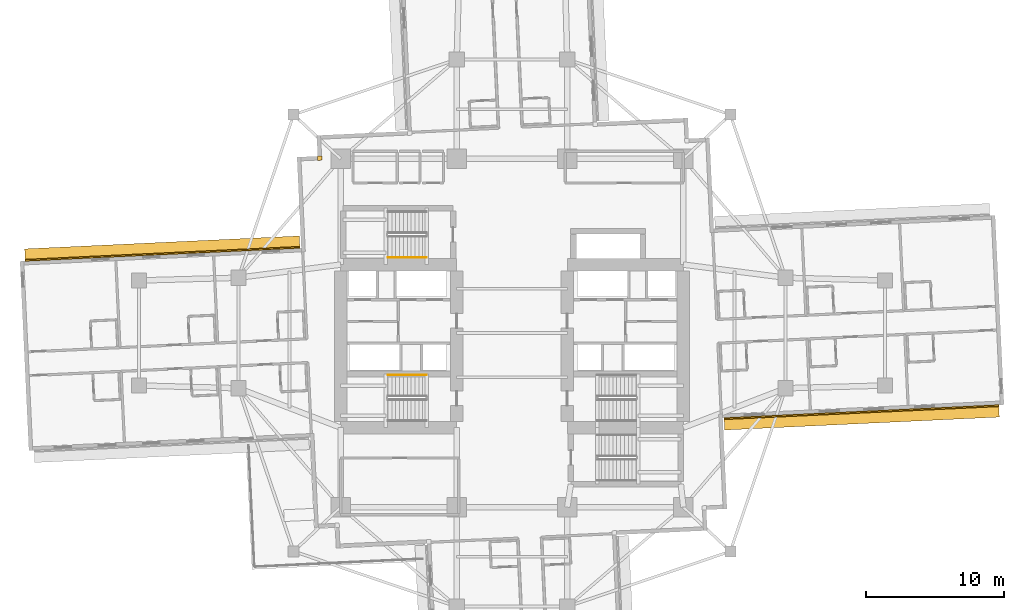
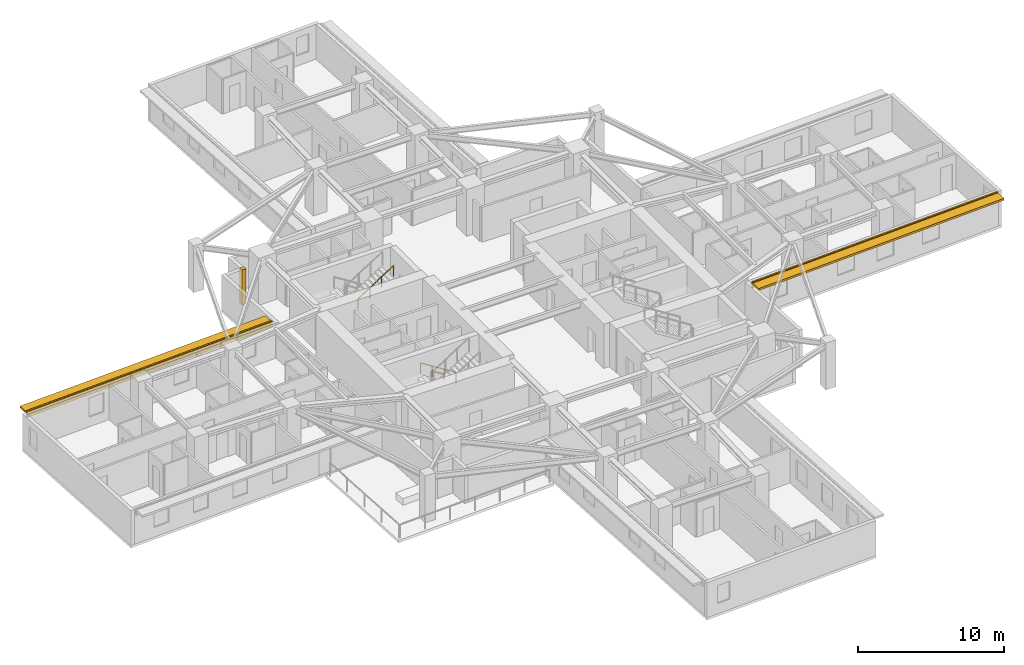
# One storey, part 12 of 14: 3 coverings, 2 railings, 2 shading devices.
"""IFC4 building model written with IfcOpenShell, lengths in metres."""

from ifc_helpers import new_model, si_unit, direction, frame, origin, origin_2d, place, context, subcontext, project, spatial, rectangle, circle, extrude, material, layer, layer_set, type_object, element, save


model = new_model("IFC4")

# Units and contexts
model_context = context("Model", 3, precision=1e-05, world=origin(), true_north=direction((0.0, 1.0)))
body_context = subcontext(model_context, "Body", "Model", "MODEL_VIEW")
ifc_project = project(units=[si_unit("LENGTHUNIT", "METRE"), si_unit("AREAUNIT", "SQUARE_METRE"), si_unit("VOLUMEUNIT", "CUBIC_METRE"), si_unit("PLANEANGLEUNIT", "RADIAN"), si_unit("MASSUNIT", "GRAM", prefix="KILO")], contexts=[model_context])

# Site, building, storey
site_placement = place(None, origin())
site = spatial("IfcSite", under=ifc_project, at=site_placement, CompositionType="ELEMENT")
building_placement = place(site_placement, origin())
building = spatial("IfcBuilding", under=site, at=building_placement, Name="Qingluan Cross Belvedere", CompositionType="ELEMENT")
storey_placement = place(building_placement, frame((0.0, 0.0, 52.199951171875)))
storey = spatial("IfcBuildingStorey", under=building, at=storey_placement, Name="L13", CompositionType="ELEMENT", Elevation=52.199951171875)

# Coverings
ifc_material_1 = material(Name="Precast concrete C45", Category="concrete")
ifc_layer_1 = layer(ifc_material_1, 0.1201171875, Name="ConcreteSpandrelCladding_120")
ifc_layer_set_1 = layer_set([ifc_layer_1], Name="Precast concrete C45")
covering_type = type_object("IfcCoveringType", Name="ConcreteSpandrelCladding_120", PredefinedType="CLADDING", material=ifc_layer_set_1)
for number, where, z_axis, x_axis, name in (
    (1, (25.287841796875, -5.72509765625, 2.449951171875), (0.0, 0.0, 1.0), (0.998889735192, 0.04710941444, 0.0), "Spandrel cladding L13-EA"),
    (2, (-25.287841796875, 5.72509765625, 2.449951171875), (0.0, 0.0, 1.0), (-0.998889735192, -0.04710941444, 0.0), "Spandrel cladding L13-WA"),
):
    element("IfcCovering", number, at=place(storey_placement, frame(where, z_axis=z_axis, x_axis=x_axis)), inside=storey, type_object=covering_type, Name=name, PredefinedType="CLADDING", context=body_context, shape_type="SweptSolid", body=[
        extrude(rectangle(XDim=19.89990234375, YDim=0.1201171875, at=origin_2d()), origin(), (0.0, 0.0, 1.0), 0.52001953125),
    ])
covering_placement = place(storey_placement, frame((-13.911865234375, 12.65869140625, 0.0), z_axis=(0.0, 0.0, 1.0), x_axis=(0.998889874962, 0.04710645071, 0.0)))
element("IfcCovering", 3, at=covering_placement, inside=storey, type_object=covering_type, Name="Corner closure L13-NW1", PredefinedType="CLADDING", context=body_context, shape_type="SweptSolid", body=[
    extrude(rectangle(XDim=0.320068359375, YDim=0.320068359375, at=origin_2d()), origin(), (0.0, 0.0, 1.0), 2.909912109375),
])

# Shading devices
ifc_material_2 = material(Name="Precast concrete C45", Category="concrete")
ifc_layer_2 = layer(ifc_material_2, 0.159912109375, Name="ConcreteSunshadeBand_900")
ifc_layer_set_2 = layer_set([ifc_layer_2], Name="Precast concrete C45")
shading_device_type = type_object("IfcShadingDeviceType", Name="ConcreteSunshadeBand_900", PredefinedType="USERDEFINED", material=ifc_layer_set_2)
for number, where, z_axis, x_axis, name in (
    (4, (25.3056640625, -6.104736328125, 2.72998046875), (0.0, 0.0, 1.0), (0.998889735192, 0.04710941444, 0.0), "Concrete SUNSHADE L13-EA"),
    (5, (-25.3056640625, 6.104736328125, 2.72998046875), (0.0, 0.0, 1.0), (-0.998889735192, -0.04710941444, 0.0), "Concrete SUNSHADE L13-WA"),
):
    element("IfcShadingDevice", number, at=place(storey_placement, frame(where, z_axis=z_axis, x_axis=x_axis)), inside=storey, type_object=shading_device_type, Name=name, ObjectType="SUNSHADE", PredefinedType="USERDEFINED", context=body_context, shape_type="SweptSolid", body=[
        extrude(rectangle(XDim=19.89990234375, YDim=0.89990234375, at=origin_2d()), origin(), (0.0, 0.0, 1.0), 0.159912109375),
    ])

# Railings
ifc_material_3 = material(Name="Brushed stainless steel tubular handrail", Category="steel")
railing_type = type_object("IfcRailingType", Name="StairPitchHandrail_900", PredefinedType="HANDRAIL", material=ifc_material_3)
railing_1_placement = place(storey_placement, frame((-6.179931640625, -3.050048828125, 0.17724609375)))
element("IfcRailing", 6, at=railing_1_placement, inside=storey, type_object=railing_type, Name="L13 ST1 stair handrail 1", PredefinedType="HANDRAIL", context=body_context, shape_type="SweptSolid", body=[
    extrude(circle(Radius=0.02392578125, at=origin_2d()), frame((0.0, 0.0, 0.8759765625), z_axis=(-0.844908973607, 0.0, 0.534910110503), x_axis=(0.0, -1.0, 0.0)), (0.0, 0.0, 1.0), 3.31396484375),
    extrude(circle(Radius=0.02099609375, at=origin_2d()), origin(), (0.0, 0.0, 1.0), 0.851806640625),
    extrude(circle(Radius=0.02099609375, at=origin_2d()), frame((-0.933349609375, 0.0, 0.5908203125)), (0.0, 0.0, 1.0), 0.851806640625),
    extrude(circle(Radius=0.02099609375, at=origin_2d()), frame((-1.86669921875, 0.0, 1.181884765625)), (0.0, 0.0, 1.0), 0.851806640625),
    extrude(circle(Radius=0.02099609375, at=origin_2d()), frame((-2.800048828125, 0.0, 1.772705078125)), (0.0, 0.0, 1.0), 0.851806640625),
])
railing_2_placement = place(storey_placement, frame((-8.97998046875, 5.469970703125, 2.12744140625)))
element("IfcRailing", 7, at=railing_2_placement, inside=storey, type_object=railing_type, Name="L13 ST3 stair handrail 2", PredefinedType="HANDRAIL", context=body_context, shape_type="SweptSolid", body=[
    extrude(circle(Radius=0.02392578125, at=origin_2d()), frame((0.0, 0.0, 0.8759765625), z_axis=(0.844908973607, 0.0, 0.534910110503), x_axis=(0.0, 1.0, 0.0)), (0.0, 0.0, 1.0), 3.31396484375),
    extrude(circle(Radius=0.02099609375, at=origin_2d()), origin(), (0.0, 0.0, 1.0), 0.851806640625),
    extrude(circle(Radius=0.02099609375, at=origin_2d()), frame((0.933349609375, 0.0, 0.5908203125)), (0.0, 0.0, 1.0), 0.851806640625),
    extrude(circle(Radius=0.02099609375, at=origin_2d()), frame((1.86669921875, 0.0, 1.181884765625)), (0.0, 0.0, 1.0), 0.851806640625),
    extrude(circle(Radius=0.02099609375, at=origin_2d()), frame((2.800048828125, 0.0, 1.772705078125)), (0.0, 0.0, 1.0), 0.851806640625),
])

save(model, "model.ifc")
